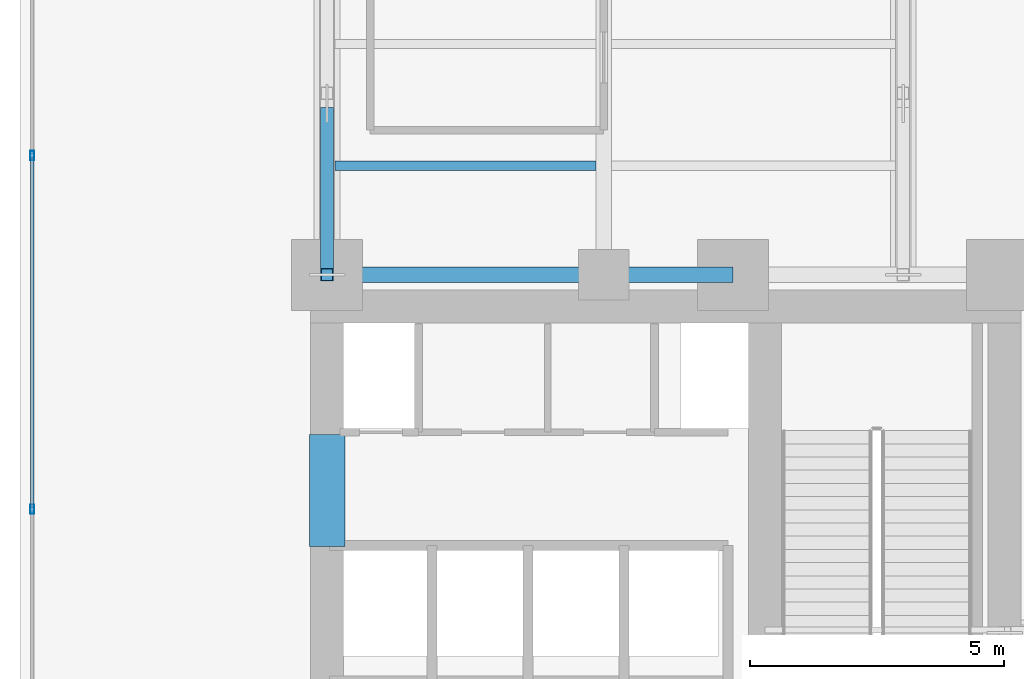
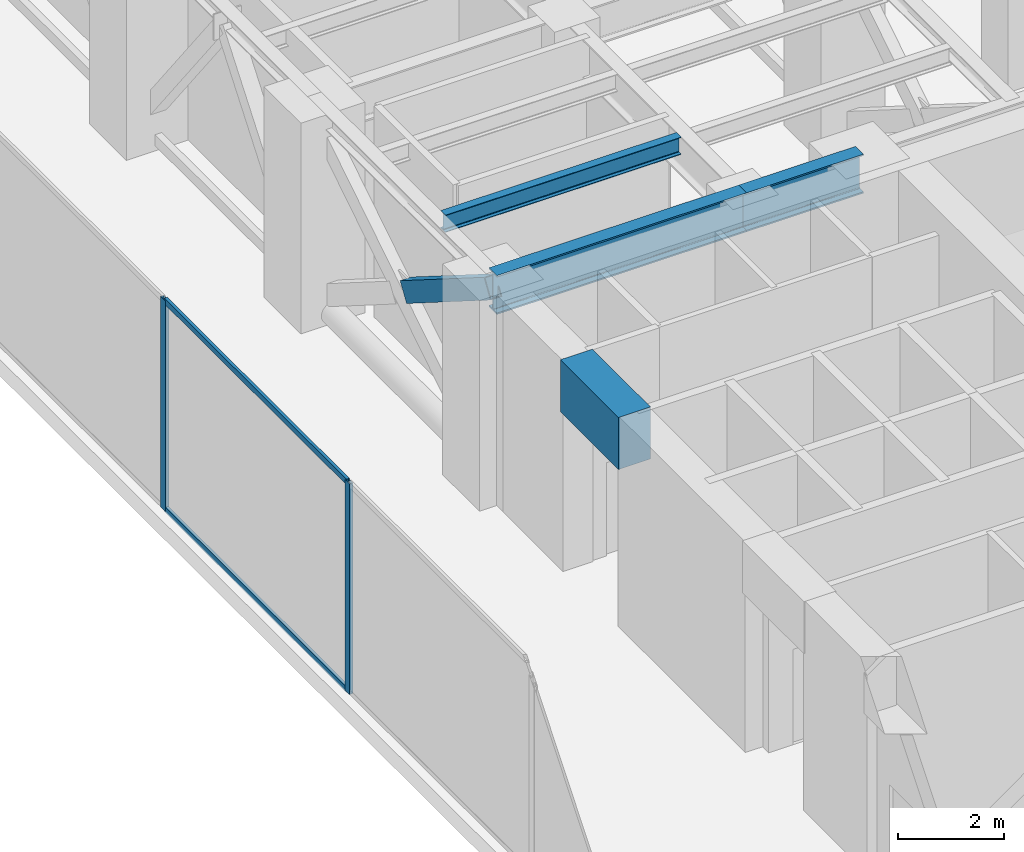
# One storey, part 8 of 37: 5 members, 4 beams, 1 element without a shape of its own.
"""IFC4 building model written with IfcOpenShell, lengths in metres."""

from ifc_helpers import new_model, si_unit, direction, frame, origin, origin_with_axes, origin_2d, place, context, subcontext, project, spatial, rectangle, hollow_rectangle, i_section, extrude, source, transform, mapped, material, layer, layer_set, material_profile, profile_set, type_object, element, aggregate, save


model = new_model("IFC4")

# Units and contexts
model_context = context("Model", 3, precision=1e-05, world=origin(), true_north=direction((0.0, 1.0)))
body_context = subcontext(model_context, "Body", "Model", "MODEL_VIEW")
ifc_project = project(units=[si_unit("LENGTHUNIT", "METRE"), si_unit("AREAUNIT", "SQUARE_METRE"), si_unit("VOLUMEUNIT", "CUBIC_METRE"), si_unit("PLANEANGLEUNIT", "RADIAN"), si_unit("MASSUNIT", "GRAM", prefix="KILO")], contexts=[model_context])

# Site, building, storey
site_placement = place(None, origin())
site = spatial("IfcSite", under=ifc_project, at=site_placement, CompositionType="ELEMENT")
building_placement = place(site_placement, origin())
building = spatial("IfcBuilding", under=site, at=building_placement, Name="Kolvaren Waterfront Exchange", CompositionType="ELEMENT")
storey_placement = place(building_placement, frame((0.0, 0.0, 141.10009765625)))
storey = spatial("IfcBuildingStorey", under=building, at=storey_placement, Name="L36", CompositionType="ELEMENT", Elevation=141.10009765625)

# Beams
ifc_material_1 = material(Name="Steel S355", Category="steel")
ifc_material_profile_1 = material_profile(ifc_material_1, i_section(OverallWidth=0.300048828125, OverallDepth=0.89990234375, WebThickness=0.0185546875, FlangeThickness=0.034912109375, FilletRadius=0.030029296875, at=origin_2d()), Name="HEB900")
ifc_profile_set_1 = profile_set([ifc_material_profile_1], Name="Steel S355")
beam_type_1 = type_object("IfcBeamType", Name="STR-BM-HEB900", PredefinedType="BEAM", material=ifc_profile_set_1)
beam_1_placement = place(storey_placement, frame((7.449951171875, 24.449951171875, 4.409912109375), z_axis=(1.0, 0.0, 0.0), x_axis=(0.0, 1.0, 0.0)))
element("IfcBeam", 1, at=beam_1_placement, inside=storey, type_object=beam_type_1, Name="L36 north-arm girder 1A", PredefinedType="BEAM", context=body_context, shape_type="SweptSolid", body=[
    extrude(i_section(OverallWidth=0.300048828125, OverallDepth=0.89990234375, WebThickness=0.0185546875, FlangeThickness=0.034912109375, FilletRadius=0.030029296875, at=origin_2d()), origin(), (0.0, 0.0, 1.0), 5.449951171875),
])
beam_2_placement = place(storey_placement, frame((12.89990234375, 24.449951171875, 4.409912109375), z_axis=(1.0, 0.0, 0.0), x_axis=(0.0, 1.0, 0.0)))
element("IfcBeam", 2, at=beam_2_placement, inside=storey, type_object=beam_type_1, Name="L36 north-arm girder 1B", PredefinedType="BEAM", context=body_context, shape_type="SweptSolid", body=[
    extrude(i_section(OverallWidth=0.300048828125, OverallDepth=0.89990234375, WebThickness=0.0185546875, FlangeThickness=0.034912109375, FilletRadius=0.030029296875, at=origin_2d()), origin(), (0.0, 0.0, 1.0), 2.550048828125),
])
ifc_material_profile_2 = material_profile(ifc_material_1, i_section(OverallWidth=0.179931640625, OverallDepth=0.39990234375, WebThickness=0.008544921875, FlangeThickness=0.013427734375, FilletRadius=0.02099609375, at=origin_2d()), Name="IPE400")
ifc_profile_set_2 = profile_set([ifc_material_profile_2], Name="Steel S355")
beam_type_2 = type_object("IfcBeamType", Name="STR-BM-IPE400", PredefinedType="JOIST", material=ifc_profile_set_2)
beam_3_placement = place(storey_placement, frame((7.60205078125, 26.60009765625, 4.659912109375), z_axis=(1.0, 0.0, 0.0), x_axis=(0.0, 1.0, 0.0)))
element("IfcBeam", 3, at=beam_3_placement, inside=storey, type_object=beam_type_2, Name="L36 north-arm composite joist 1A", PredefinedType="JOIST", context=body_context, shape_type="SweptSolid", body=[
    extrude(i_section(OverallWidth=0.179931640625, OverallDepth=0.39990234375, WebThickness=0.008544921875, FlangeThickness=0.013427734375, FilletRadius=0.02099609375, at=origin_2d()), origin(), (0.0, 0.0, 1.0), 5.14599609375),
])

# Member
ifc_material_2 = material(Name="Steel S460", Category="steel")
ifc_material_profile_3 = material_profile(ifc_material_2, hollow_rectangle(XDim=0.25, YDim=0.449951171875, WallThickness=0.01611328125, at=origin_2d()), Name="RHS450x250x16")
ifc_profile_set_3 = profile_set([ifc_material_profile_3], Name="Steel S460")
member_type_1 = type_object("IfcMemberType", Name="STR-BR-RHS450", PredefinedType="BRACE", material=ifc_profile_set_3)
member_1_placement = place(storey_placement, frame((7.449951171875, 27.6220703125, 2.508056640625), z_axis=(0.0, -0.845668261927, 0.533708900778), x_axis=(1.0, 0.0, 0.0)))
element("IfcMember", 4, at=member_1_placement, inside=storey, type_object=member_type_1, Name="L36 outrigger split diagonal OA3.2B", PredefinedType="BRACE", context=body_context, shape_type="SweptSolid", body=[
    extrude(hollow_rectangle(XDim=0.25, YDim=0.449951171875, WallThickness=0.01611328125, at=origin_2d()), origin(), (0.0, 0.0, 1.0), 3.7509765625),
])

# Beam
ifc_material_3 = material(Name="Concrete C70/85", Category="concrete")
ifc_material_profile_4 = material_profile(ifc_material_3, rectangle(XDim=0.699951171875, YDim=1.199951171875, at=origin_2d()), Name="RC-CB-1200x700")
ifc_profile_set_4 = profile_set([ifc_material_profile_4], Name="Concrete C70/85")
beam_type_3 = type_object("IfcBeamType", Name="STR-CB-1200", PredefinedType="SPANDREL", material=ifc_profile_set_4)
beam_4_placement = place(storey_placement, frame((7.449951171875, 19.10009765625, 4.260009765625), z_axis=(0.0, 1.0, 0.0), x_axis=(-1.0, 0.0, 0.0)))
element("IfcBeam", 5, at=beam_4_placement, inside=storey, type_object=beam_type_3, Name="L36 core coupling beam 5", PredefinedType="SPANDREL", context=body_context, shape_type="SweptSolid", body=[
    extrude(rectangle(XDim=0.699951171875, YDim=1.199951171875, at=origin_2d()), origin(), (0.0, 0.0, 1.0), 2.199951171875),
])

# Curtain wall, members
ifc_material_4 = material(Name="Anodised dark bronze spandrel aluminium", Category="aluminium")
ifc_layer = layer(ifc_material_4, 0.219970703125, Name="Anodised dark bronze spandrel aluminium")
ifc_layer_set = layer_set([ifc_layer], Name="Anodised dark bronze spandrel aluminium")
curtain_wall_type = type_object("IfcCurtainWallType", Name="ARC-CW-SYS6", PredefinedType="USERDEFINED", material=ifc_layer_set)
curtain_wall_placement = place(storey_placement, origin())
curtain_wall = element("IfcCurtainWall", 6, at=curtain_wall_placement, inside=storey, type_object=curtain_wall_type, Name="L36 stick curtain wall CW6 (CW-L36-W)", ObjectType="STICK CURTAIN WALL", PredefinedType="USERDEFINED")
ifc_material_5 = material(Name="Anodised bronze aluminium 6063-T6", Category="aluminium")
ifc_material_profile_5 = material_profile(ifc_material_5, hollow_rectangle(XDim=0.074951171875, YDim=0.179931640625, WallThickness=0.00439453125, at=origin_2d()), Name="ALU-MUL-180x75x4.5")
ifc_profile_set_5 = profile_set([ifc_material_profile_5], Name="Anodised bronze aluminium 6063-T6")
member_type_2 = type_object("IfcMemberType", Name="ARC-CWM-180", PredefinedType="MULLION", material=ifc_profile_set_5)
shared_shape_1 = source(origin_with_axes(), body_context, "Body", "SweptSolid", [
    extrude(hollow_rectangle(XDim=0.074951171875, YDim=0.179931640625, WallThickness=0.00439453125, at=origin_2d()), origin(), (0.0, 0.0, 1.0), 4.85986328125),
])
member_2_placement = place(storey_placement, frame((1.639892578125, 19.833251953125, 0.0), z_axis=(0.0, 0.0, 1.0), x_axis=(-1.0, 0.0, 0.0)))
member_2 = element("IfcMember", 7, at=member_2_placement, type_object=member_type_2, Name="CW6 mullion 3", PredefinedType="MULLION", context=body_context, shape_type="MappedRepresentation", body=[
    mapped(shared_shape_1, transform((0.0, 0.0, 0.0), x_axis=(1.0, 0.0, 0.0), y_axis=(0.0, 1.0, 0.0), z_axis=(0.0, 0.0, 1.0), scale=1.0)),
])
member_3_placement = place(storey_placement, frame((1.639892578125, 26.800048828125, 0.0), z_axis=(0.0, 0.0, 1.0), x_axis=(-1.0, 0.0, 0.0)))
member_3 = element("IfcMember", 8, at=member_3_placement, type_object=member_type_2, Name="CW6 mullion 4", PredefinedType="MULLION", context=body_context, shape_type="MappedRepresentation", body=[
    mapped(shared_shape_1, transform((0.0, 0.0, 0.0), x_axis=(1.0, 0.0, 0.0), y_axis=(0.0, 1.0, 0.0), z_axis=(0.0, 0.0, 1.0), scale=1.0)),
])
ifc_material_profile_6 = material_profile(ifc_material_5, hollow_rectangle(XDim=0.06494140625, YDim=0.1298828125, WallThickness=0.00390625, at=origin_2d()), Name="ALU-TRN-130x65x4")
ifc_profile_set_6 = profile_set([ifc_material_profile_6], Name="Anodised bronze aluminium 6063-T6")
member_type_3 = type_object("IfcMemberType", Name="ARC-CWT-130", PredefinedType="USERDEFINED", material=ifc_profile_set_6)
shared_shape_2 = source(origin_with_axes(), body_context, "Body", "SweptSolid", [
    extrude(hollow_rectangle(XDim=0.06494140625, YDim=0.1298828125, WallThickness=0.00390625, at=origin_2d()), origin(), (0.0, 0.0, 1.0), 6.8916015625),
])
member_4_placement = place(storey_placement, frame((1.639892578125, 19.870849609375, 0.032470703125), z_axis=(0.0, 1.0, 0.0), x_axis=(-1.0, 0.0, 0.0)))
member_4 = element("IfcMember", 9, at=member_4_placement, type_object=member_type_3, Name="CW6 transom 3.1", ObjectType="TRANSOM", PredefinedType="USERDEFINED", context=body_context, shape_type="MappedRepresentation", body=[
    mapped(shared_shape_2, transform((0.0, 0.0, 0.0), x_axis=(1.0, 0.0, 0.0), y_axis=(0.0, 1.0, 0.0), z_axis=(0.0, 0.0, 1.0), scale=1.0)),
])
member_5_placement = place(storey_placement, frame((1.639892578125, 19.870849609375, 4.827392578125), z_axis=(0.0, 1.0, 0.0), x_axis=(-1.0, 0.0, 0.0)))
member_5 = element("IfcMember", 10, at=member_5_placement, type_object=member_type_3, Name="CW6 transom 3.2", ObjectType="TRANSOM", PredefinedType="USERDEFINED", context=body_context, shape_type="MappedRepresentation", body=[
    mapped(shared_shape_2, transform((0.0, 0.0, 0.0), x_axis=(1.0, 0.0, 0.0), y_axis=(0.0, 1.0, 0.0), z_axis=(0.0, 0.0, 1.0), scale=1.0)),
])
aggregate(curtain_wall, [member_2, member_3, member_4, member_5])

save(model, "model.ifc")
